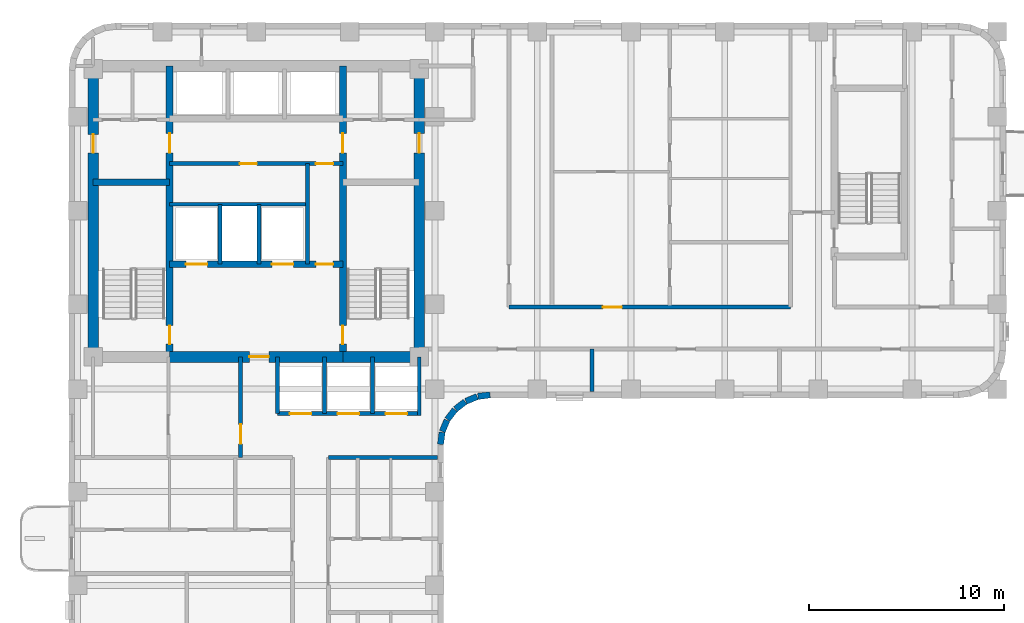
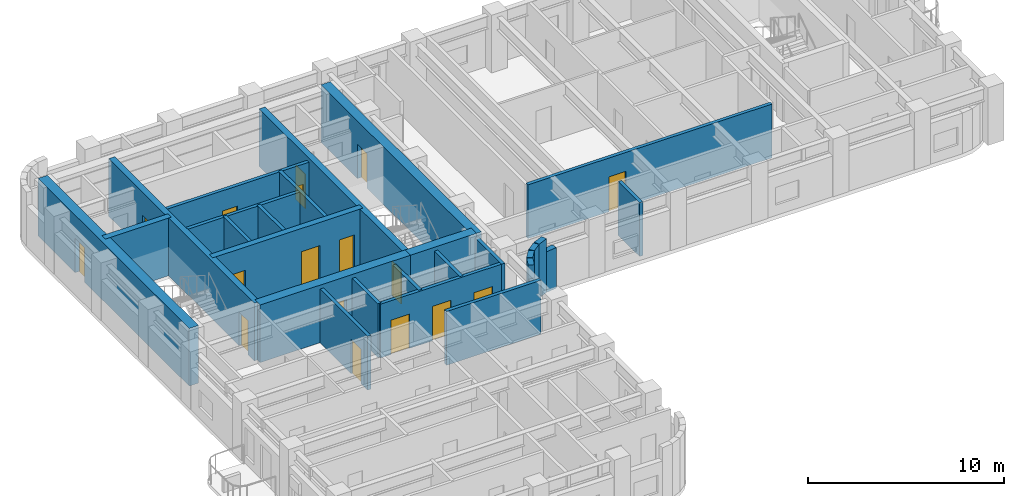
# One storey, part 4 of 10: 28 walls, 17 doors, 17 openings.
"""IFC4 building model written with IfcOpenShell, lengths in metres."""

from ifc_helpers import new_model, si_unit, direction, frame, frame_2d, origin, place, context, subcontext, project, spatial, rectangle, extrude, material, layer, layer_set, type_object, element, fill, save


model = new_model("IFC4")

# Units and contexts
model_context = context("Model", 3, precision=1e-05, world=origin(), true_north=direction((0.0, 1.0)))
body_context = subcontext(model_context, "Body", "Model", "MODEL_VIEW")
ifc_project = project(units=[si_unit("LENGTHUNIT", "METRE"), si_unit("AREAUNIT", "SQUARE_METRE"), si_unit("VOLUMEUNIT", "CUBIC_METRE"), si_unit("PLANEANGLEUNIT", "RADIAN"), si_unit("MASSUNIT", "GRAM", prefix="KILO")], contexts=[model_context])

# Site, building, storey
site_placement = place(None, origin())
site = spatial("IfcSite", under=ifc_project, at=site_placement, CompositionType="ELEMENT")
building_placement = place(site_placement, origin())
building = spatial("IfcBuilding", under=site, at=building_placement, Name="Orvandelia Arch Residences", CompositionType="ELEMENT")
storey_placement = place(building_placement, frame((0.0, 0.0, 139.60009765625)))
storey = spatial("IfcBuildingStorey", under=building, at=storey_placement, Name="L36", CompositionType="ELEMENT", Elevation=139.60009765625)

# Wall, openings, doors
ifc_material_1 = material(Name="Concrete C50/60", Category="concrete")
ifc_layer_1 = layer(ifc_material_1, 0.35009765625, Name="Concrete C50/60", Category="concrete")
ifc_layer_set_1 = layer_set([ifc_layer_1], Name="Concrete C50/60")
wall_type_1 = type_object("IfcWallType", Name="WL-CORE-350", PredefinedType="SHEAR", material=ifc_layer_set_1)
wall_1_placement = place(storey_placement, frame((9.9599609375, 30.89990234375, 0.0), z_axis=(0.0, 0.0, 1.0), x_axis=(0.0, 1.0, 0.0)))
wall_1 = element("IfcWall", 1, at=wall_1_placement, inside=storey, type_object=wall_type_1, Name="Core Shear Wall L36-WEB1", PredefinedType="SHEAR", context=body_context, shape_type="SweptSolid", body=[
    extrude(rectangle(XDim=14.900146484375, YDim=0.35009765625, at=frame_2d((7.4501953125, 0.0))), origin(), (0.0, 0.0, 1.0), 3.599853515625),
])
opening_1_placement = place(wall_1_placement, frame((0.64990234375, 0.0, 0.0)))
opening_1 = element("IfcOpeningElement", 2, at=opening_1_placement, cuts=wall_1, Name="Opening D7", PredefinedType="OPENING", context=body_context, shape_type="SweptSolid", body=[
    extrude(rectangle(XDim=0.949951171875, YDim=2.10009765625, at=frame_2d((0.47509765625, 1.050048828125))), frame((0.0, 0.18505859375, 0.0), z_axis=(0.0, -1.0, 0.0), x_axis=(1.0, 0.0, 0.0)), (0.0, 0.0, 1.0), 0.3701171875),
])
opening_2_placement = place(wall_1_placement, frame((10.449951171875, 0.0, 0.0)))
opening_2 = element("IfcOpeningElement", 3, at=opening_2_placement, cuts=wall_1, Name="Opening D6", PredefinedType="OPENING", context=body_context, shape_type="SweptSolid", body=[
    extrude(rectangle(XDim=1.0, YDim=2.14990234375, at=frame_2d((0.5, 1.074951171875))), frame((0.0, 0.18505859375, 0.0), z_axis=(0.0, -1.0, 0.0), x_axis=(1.0, 0.0, 0.0)), (0.0, 0.0, 1.0), 0.3701171875),
])
ifc_material_2 = material(Name="Smokeproof Painted Steel Fire Door", Category="steel")
door_type_1 = type_object("IfcDoorType", Name="DR-FD60-1000", OperationType="NOTDEFINED", PredefinedType="DOOR", material=ifc_material_2)
door_1_placement = place(opening_2_placement, origin())
door_1 = element("IfcDoor", 4, at=door_1_placement, inside=storey, type_object=door_type_1, Name="High-Rise Lift Hall West Vestibule Door L36", OperationType="SINGLE_SWING_LEFT", OverallHeight=2.14990234375, OverallWidth=1.0, PredefinedType="DOOR", context=body_context, shape_type="SweptSolid", body=[
    extrude(rectangle(XDim=1.0, YDim=2.14990234375, at=frame_2d((0.5, 1.074951171875))), frame((0.0, 0.02490234375, 0.0), z_axis=(0.0, -1.0, 0.0), x_axis=(1.0, 0.0, 0.0)), (0.0, 0.0, 1.0), 0.050048828125),
])
fill(opening_2, door_1)
ifc_material_3 = material(Name="Pressurised Stairwell Fire Door")
door_type_2 = type_object("IfcDoorType", Name="DR-STAIR-950", OperationType="NOTDEFINED", PredefinedType="DOOR", material=ifc_material_3)
door_2_placement = place(opening_1_placement, origin())
door_2 = element("IfcDoor", 5, at=door_2_placement, inside=storey, type_object=door_type_2, Name="Stairwell ST-1 Fire Door L36", OperationType="SINGLE_SWING_LEFT", OverallHeight=2.10009765625, OverallWidth=0.949951171875, PredefinedType="DOOR", context=body_context, shape_type="SweptSolid", body=[
    extrude(rectangle(XDim=0.949951171875, YDim=2.10009765625, at=frame_2d((0.47509765625, 1.050048828125))), frame((0.0, 0.02490234375, 0.0), z_axis=(0.0, -1.0, 0.0), x_axis=(1.0, 0.0, 0.0)), (0.0, 0.0, 1.0), 0.050048828125),
])
fill(opening_1, door_2)

wall_2_placement = place(storey_placement, frame((18.840087890625, 30.89990234375, 0.0), z_axis=(0.0, 0.0, 1.0), x_axis=(0.0, 1.0, 0.0)))
wall_2 = element("IfcWall", 6, at=wall_2_placement, inside=storey, type_object=wall_type_1, Name="Core Shear Wall L36-WEB2", PredefinedType="SHEAR", context=body_context, shape_type="SweptSolid", body=[
    extrude(rectangle(XDim=14.900146484375, YDim=0.35009765625, at=frame_2d((7.4501953125, 0.0))), origin(), (0.0, 0.0, 1.0), 3.599853515625),
])
opening_3_placement = place(wall_2_placement, frame((0.64990234375, 0.0, 0.0)))
opening_3 = element("IfcOpeningElement", 7, at=opening_3_placement, cuts=wall_2, Name="Opening D7", PredefinedType="OPENING", context=body_context, shape_type="SweptSolid", body=[
    extrude(rectangle(XDim=0.949951171875, YDim=2.10009765625, at=frame_2d((0.47509765625, 1.050048828125))), frame((0.0, 0.18505859375, 0.0), z_axis=(0.0, -1.0, 0.0), x_axis=(1.0, 0.0, 0.0)), (0.0, 0.0, 1.0), 0.3701171875),
])
opening_4_placement = place(wall_2_placement, frame((10.449951171875, 0.0, 0.0)))
opening_4 = element("IfcOpeningElement", 8, at=opening_4_placement, cuts=wall_2, Name="Opening D6", PredefinedType="OPENING", context=body_context, shape_type="SweptSolid", body=[
    extrude(rectangle(XDim=1.0, YDim=2.14990234375, at=frame_2d((0.5, 1.074951171875))), frame((0.0, 0.18505859375, 0.0), z_axis=(0.0, -1.0, 0.0), x_axis=(1.0, 0.0, 0.0)), (0.0, 0.0, 1.0), 0.3701171875),
])
door_3_placement = place(opening_4_placement, origin())
door_3 = element("IfcDoor", 9, at=door_3_placement, inside=storey, type_object=door_type_1, Name="High-Rise Lift Hall East Vestibule Door L36", OperationType="SINGLE_SWING_RIGHT", OverallHeight=2.14990234375, OverallWidth=1.0, PredefinedType="DOOR", context=body_context, shape_type="SweptSolid", body=[
    extrude(rectangle(XDim=1.0, YDim=2.14990234375, at=frame_2d((0.5, 1.074951171875))), frame((0.0, 0.02490234375, 0.0), z_axis=(0.0, -1.0, 0.0), x_axis=(1.0, 0.0, 0.0)), (0.0, 0.0, 1.0), 0.050048828125),
])
fill(opening_4, door_3)
door_4_placement = place(opening_3_placement, origin())
door_4 = element("IfcDoor", 10, at=door_4_placement, inside=storey, type_object=door_type_2, Name="Stairwell ST-2 Fire Door L36", OperationType="SINGLE_SWING_RIGHT", OverallHeight=2.10009765625, OverallWidth=0.949951171875, PredefinedType="DOOR", context=body_context, shape_type="SweptSolid", body=[
    extrude(rectangle(XDim=0.949951171875, YDim=2.10009765625, at=frame_2d((0.47509765625, 1.050048828125))), frame((0.0, 0.02490234375, 0.0), z_axis=(0.0, -1.0, 0.0), x_axis=(1.0, 0.0, 0.0)), (0.0, 0.0, 1.0), 0.050048828125),
])
fill(opening_3, door_4)

# Wall
wall_3_placement = place(storey_placement, frame((6.050048828125, 39.85009765625, 0.0), z_axis=(0.0, 0.0, 1.0), x_axis=(1.0, 0.0, 0.0)))
element("IfcWall", 11, at=wall_3_placement, inside=storey, type_object=wall_type_1, Name="Core Shear Wall L36-HZ1", PredefinedType="SHEAR", context=body_context, shape_type="SweptSolid", body=[
    extrude(rectangle(XDim=3.909912109375, YDim=0.35009765625, at=frame_2d((1.955078125, 0.0))), origin(), (0.0, 0.0, 1.0), 3.599853515625),
])

# Wall, openings, doors
wall_4_placement = place(storey_placement, frame((9.9599609375, 35.64990234375, 0.0), z_axis=(0.0, 0.0, 1.0), x_axis=(1.0, 0.0, 0.0)))
wall_4 = element("IfcWall", 12, at=wall_4_placement, inside=storey, type_object=wall_type_1, Name="Core Shear Wall L36-HZ3", PredefinedType="SHEAR", context=body_context, shape_type="SweptSolid", body=[
    extrude(rectangle(XDim=8.880126953125, YDim=0.35009765625, at=frame_2d((4.43994140625, 0.0))), origin(), (0.0, 0.0, 1.0), 3.599853515625),
])
opening_5_placement = place(wall_4_placement, frame((0.840087890625, 0.0, 0.0)))
opening_5 = element("IfcOpeningElement", 13, at=opening_5_placement, cuts=wall_4, Name="Opening FLD", PredefinedType="OPENING", context=body_context, shape_type="SweptSolid", body=[
    extrude(rectangle(XDim=1.10009765625, YDim=2.14990234375, at=frame_2d((0.550048828125, 1.074951171875))), frame((0.0, 0.18505859375, 0.0), z_axis=(0.0, -1.0, 0.0), x_axis=(1.0, 0.0, 0.0)), (0.0, 0.0, 1.0), 0.3701171875),
])
opening_6_placement = place(wall_4_placement, frame((5.239990234375, 0.0, 0.0)))
opening_6 = element("IfcOpeningElement", 14, at=opening_6_placement, cuts=wall_4, Name="Opening FLD", PredefinedType="OPENING", context=body_context, shape_type="SweptSolid", body=[
    extrude(rectangle(XDim=1.10009765625, YDim=2.14990234375, at=frame_2d((0.550048828125, 1.074951171875))), frame((0.0, 0.18505859375, 0.0), z_axis=(0.0, -1.0, 0.0), x_axis=(1.0, 0.0, 0.0)), (0.0, 0.0, 1.0), 0.3701171875),
])
opening_7_placement = place(wall_4_placement, frame((7.5, 0.0, 0.0)))
opening_7 = element("IfcOpeningElement", 15, at=opening_7_placement, cuts=wall_4, Name="Opening D5", PredefinedType="OPENING", context=body_context, shape_type="SweptSolid", body=[
    extrude(rectangle(XDim=0.8798828125, YDim=2.10009765625, at=frame_2d((0.43994140625, 1.050048828125))), frame((0.0, 0.18505859375, 0.0), z_axis=(0.0, -1.0, 0.0), x_axis=(1.0, 0.0, 0.0)), (0.0, 0.0, 1.0), 0.3701171875),
])
ifc_material_4 = material(Name="Firefighting Lift Stainless Sliding Door")
door_type_3 = type_object("IfcDoorType", Name="DR-FLFT-1100", OperationType="NOTDEFINED", PredefinedType="DOOR", material=ifc_material_4)
door_5_placement = place(opening_5_placement, origin())
door_5 = element("IfcDoor", 16, at=door_5_placement, inside=storey, type_object=door_type_3, Name="Firefighting Lift Landing Door FLD-FL1-L36", OperationType="SLIDING_TO_LEFT", OverallHeight=2.14990234375, OverallWidth=1.10009765625, PredefinedType="DOOR", context=body_context, shape_type="SweptSolid", body=[
    extrude(rectangle(XDim=1.10009765625, YDim=2.14990234375, at=frame_2d((0.550048828125, 1.074951171875))), frame((0.0, 0.02490234375, 0.0), z_axis=(0.0, -1.0, 0.0), x_axis=(1.0, 0.0, 0.0)), (0.0, 0.0, 1.0), 0.050048828125),
])
fill(opening_5, door_5)
door_6_placement = place(opening_6_placement, origin())
door_6 = element("IfcDoor", 17, at=door_6_placement, inside=storey, type_object=door_type_3, Name="Firefighting Lift Landing Door FLD-FL2-L36", OperationType="SLIDING_TO_RIGHT", OverallHeight=2.14990234375, OverallWidth=1.10009765625, PredefinedType="DOOR", context=body_context, shape_type="SweptSolid", body=[
    extrude(rectangle(XDim=1.10009765625, YDim=2.14990234375, at=frame_2d((0.550048828125, 1.074951171875))), frame((0.0, 0.02490234375, 0.0), z_axis=(0.0, -1.0, 0.0), x_axis=(1.0, 0.0, 0.0)), (0.0, 0.0, 1.0), 0.050048828125),
])
fill(opening_6, door_6)
ifc_material_5 = material(Name="Painted Galvanised Steel Service Door", Category="steel")
door_type_4 = type_object("IfcDoorType", Name="DR-SRV-880", OperationType="NOTDEFINED", PredefinedType="DOOR", material=ifc_material_5)
door_7_placement = place(opening_7_placement, origin())
door_7 = element("IfcDoor", 18, at=door_7_placement, inside=storey, type_object=door_type_4, Name="Core Stairway Passage South Fire Door L36", OperationType="SINGLE_SWING_LEFT", OverallHeight=2.10009765625, OverallWidth=0.8798828125, PredefinedType="DOOR", context=body_context, shape_type="SweptSolid", body=[
    extrude(rectangle(XDim=0.8798828125, YDim=2.10009765625, at=frame_2d((0.43994140625, 1.050048828125))), frame((0.0, 0.02490234375, 0.0), z_axis=(0.0, -1.0, 0.0), x_axis=(1.0, 0.0, 0.0)), (0.0, 0.0, 1.0), 0.050048828125),
])
fill(opening_7, door_7)

# Wall, opening, door
ifc_material_6 = material(Name="Concrete C60/75", Category="concrete")
ifc_layer_2 = layer(ifc_material_6, 0.550048828125, Name="Concrete C60/75", Category="concrete")
ifc_layer_set_2 = layer_set([ifc_layer_2], Name="Concrete C60/75")
wall_type_2 = type_object("IfcWallType", Name="WL-CORE-550", PredefinedType="SHEAR", material=ifc_layer_set_2)
wall_5_placement = place(storey_placement, frame((6.050048828125, 30.625, 0.0), z_axis=(0.0, 0.0, 1.0), x_axis=(0.0, 1.0, 0.0)))
wall_5 = element("IfcWall", 19, at=wall_5_placement, inside=storey, type_object=wall_type_2, Name="Core Shear Wall L36-W", PredefinedType="SHEAR", context=body_context, shape_type="SweptSolid", body=[
    extrude(rectangle(XDim=15.449951171875, YDim=0.550048828125, at=frame_2d((7.72509765625, 0.0))), origin(), (0.0, 0.0, 1.0), 3.599853515625),
])
opening_8_placement = place(wall_5_placement, frame((10.72509765625, 0.0, 0.0)))
opening_8 = element("IfcOpeningElement", 20, at=opening_8_placement, cuts=wall_5, Name="Opening D2", PredefinedType="OPENING", context=body_context, shape_type="SweptSolid", body=[
    extrude(rectangle(XDim=0.949951171875, YDim=2.14990234375, at=frame_2d((0.47509765625, 1.074951171875))), frame((0.0, 0.28515625, 0.0), z_axis=(0.0, -1.0, 0.0), x_axis=(1.0, 0.0, 0.0)), (0.0, 0.0, 1.0), 0.570068359375),
])
ifc_material_7 = material(Name="Solid-Core Timber Interior Fire Door", Category="wood")
door_type_5 = type_object("IfcDoorType", Name="DR-APT-950", OperationType="NOTDEFINED", PredefinedType="DOOR", material=ifc_material_7)
door_8_placement = place(opening_8_placement, origin())
door_8 = element("IfcDoor", 21, at=door_8_placement, inside=storey, type_object=door_type_5, Name="West Viewing Study Door L36", OperationType="SINGLE_SWING_RIGHT", OverallHeight=2.14990234375, OverallWidth=0.949951171875, PredefinedType="DOOR", context=body_context, shape_type="SweptSolid", body=[
    extrude(rectangle(XDim=0.949951171875, YDim=2.14990234375, at=frame_2d((0.47509765625, 1.074951171875))), frame((0.0, 0.02490234375, 0.0), z_axis=(0.0, -1.0, 0.0), x_axis=(1.0, 0.0, 0.0)), (0.0, 0.0, 1.0), 0.050048828125),
])
fill(opening_8, door_8)

wall_6_placement = place(storey_placement, frame((22.75, 30.625, 0.0), z_axis=(0.0, 0.0, 1.0), x_axis=(0.0, 1.0, 0.0)))
wall_6 = element("IfcWall", 22, at=wall_6_placement, inside=storey, type_object=wall_type_2, Name="Core Shear Wall L36-E", PredefinedType="SHEAR", context=body_context, shape_type="SweptSolid", body=[
    extrude(rectangle(XDim=15.449951171875, YDim=0.550048828125, at=frame_2d((7.72509765625, 0.0))), origin(), (0.0, 0.0, 1.0), 3.599853515625),
])
opening_9_placement = place(wall_6_placement, frame((10.72509765625, 0.0, 0.0)))
opening_9 = element("IfcOpeningElement", 23, at=opening_9_placement, cuts=wall_6, Name="Opening D6", PredefinedType="OPENING", context=body_context, shape_type="SweptSolid", body=[
    extrude(rectangle(XDim=1.0, YDim=2.14990234375, at=frame_2d((0.5, 1.074951171875))), frame((0.0, 0.28515625, 0.0), z_axis=(0.0, -1.0, 0.0), x_axis=(1.0, 0.0, 0.0)), (0.0, 0.0, 1.0), 0.570068359375),
])
door_9_placement = place(opening_9_placement, origin())
door_9 = element("IfcDoor", 24, at=door_9_placement, inside=storey, type_object=door_type_1, Name="Core East Corridor Link Door L36", OperationType="SINGLE_SWING_LEFT", OverallHeight=2.14990234375, OverallWidth=1.0, PredefinedType="DOOR", context=body_context, shape_type="SweptSolid", body=[
    extrude(rectangle(XDim=1.0, YDim=2.14990234375, at=frame_2d((0.5, 1.074951171875))), frame((0.0, 0.02490234375, 0.0), z_axis=(0.0, -1.0, 0.0), x_axis=(1.0, 0.0, 0.0)), (0.0, 0.0, 1.0), 0.050048828125),
])
fill(opening_9, door_9)

wall_7_placement = place(storey_placement, frame((9.9599609375, 30.89990234375, 0.0), z_axis=(0.0, 0.0, 1.0), x_axis=(1.0, 0.0, 0.0)))
wall_7 = element("IfcWall", 25, at=wall_7_placement, inside=storey, type_object=wall_type_2, Name="Core Shear Wall L36-SM", PredefinedType="SHEAR", context=body_context, shape_type="SweptSolid", body=[
    extrude(rectangle(XDim=8.880126953125, YDim=0.550048828125, at=frame_2d((4.43994140625, 0.0))), origin(), (0.0, 0.0, 1.0), 3.599853515625),
])
opening_10_placement = place(wall_7_placement, frame((4.090087890625, 0.0, 0.0)))
opening_10 = element("IfcOpeningElement", 26, at=opening_10_placement, cuts=wall_7, Name="Opening D6", PredefinedType="OPENING", context=body_context, shape_type="SweptSolid", body=[
    extrude(rectangle(XDim=1.0, YDim=2.14990234375, at=frame_2d((0.5, 1.074951171875))), frame((0.0, 0.28515625, 0.0), z_axis=(0.0, -1.0, 0.0), x_axis=(1.0, 0.0, 0.0)), (0.0, 0.0, 1.0), 0.570068359375),
])
door_10_placement = place(opening_10_placement, origin())
door_10 = element("IfcDoor", 27, at=door_10_placement, inside=storey, type_object=door_type_1, Name="Firefighting Lobby Smokeproof Door L36", OperationType="SINGLE_SWING_LEFT", OverallHeight=2.14990234375, OverallWidth=1.0, PredefinedType="DOOR", context=body_context, shape_type="SweptSolid", body=[
    extrude(rectangle(XDim=1.0, YDim=2.14990234375, at=frame_2d((0.5, 1.074951171875))), frame((0.0, 0.02490234375, 0.0), z_axis=(0.0, -1.0, 0.0), x_axis=(1.0, 0.0, 0.0)), (0.0, 0.0, 1.0), 0.050048828125),
])
fill(opening_10, door_10)

# Walls
wall_8_placement = place(storey_placement, frame((18.840087890625, 30.89990234375, 0.0), z_axis=(0.0, 0.0, 1.0), x_axis=(1.0, 0.0, 0.0)))
element("IfcWall", 28, at=wall_8_placement, inside=storey, type_object=wall_type_2, Name="Core Shear Wall L36-SE", PredefinedType="SHEAR", context=body_context, shape_type="SweptSolid", body=[
    extrude(rectangle(XDim=3.909912109375, YDim=0.550048828125, at=frame_2d((1.955078125, 0.0))), origin(), (0.0, 0.0, 1.0), 3.599853515625),
])
ifc_material_8 = material(Name="Fire-Rated Corridor Partition")
ifc_layer_3 = layer(ifc_material_8, 0.199951171875, Name="Fire-Rated Corridor Partition")
ifc_layer_set_3 = layer_set([ifc_layer_3], Name="Fire-Rated Corridor Partition")
wall_type_3 = type_object("IfcWallType", Name="WL-CORR-200", PredefinedType="PARTITIONING", material=ifc_layer_set_3)
wall_9_placement = place(storey_placement, frame((18.10009765625, 25.75, 0.0), z_axis=(0.0, 0.0, 1.0), x_axis=(1.0, 0.0, 0.0)))
element("IfcWall", 29, at=wall_9_placement, inside=storey, type_object=wall_type_3, Name="Interior Partition Wall WL-L36-WCLS-E", PredefinedType="PARTITIONING", context=body_context, shape_type="SweptSolid", body=[
    extrude(rectangle(XDim=5.579833984375, YDim=0.199951171875, at=frame_2d((2.7900390625, 0.0))), origin(), (0.0, 0.0, 1.0), 3.35986328125),
])

# Wall, opening, door
wall_10_placement = place(storey_placement, frame((27.35009765625, 33.449951171875, 0.0), z_axis=(0.0, 0.0, 1.0), x_axis=(1.0, 0.0, 0.0)))
wall_10 = element("IfcWall", 30, at=wall_10_placement, inside=storey, type_object=wall_type_3, Name="Interior Partition Wall WL-L36-ES-N1", PredefinedType="PARTITIONING", context=body_context, shape_type="SweptSolid", body=[
    extrude(rectangle(XDim=14.429931640625, YDim=0.199951171875, at=frame_2d((7.21484375, 0.0))), origin(), (0.0, 0.0, 1.0), 3.35986328125),
])
opening_11_placement = place(wall_10_placement, frame((4.803466796875, 0.0, 0.0)))
opening_11 = element("IfcOpeningElement", 31, at=opening_11_placement, cuts=wall_10, Name="Opening D1", PredefinedType="OPENING", context=body_context, shape_type="SweptSolid", body=[
    extrude(rectangle(XDim=0.97998046875, YDim=2.179931640625, at=frame_2d((0.489990234375, 1.08984375))), frame((0.0, 0.10986328125, 0.0), z_axis=(0.0, -1.0, 0.0), x_axis=(1.0, 0.0, 0.0)), (0.0, 0.0, 1.0), 0.219970703125),
])
ifc_material_9 = material(Name="Solid-Core Timber Acoustic Fire Door", Category="wood")
door_type_6 = type_object("IfcDoorType", Name="DR-ENT-980", OperationType="NOTDEFINED", PredefinedType="DOOR", material=ifc_material_9)
door_11_placement = place(opening_11_placement, origin())
door_11 = element("IfcDoor", 32, at=door_11_placement, inside=storey, type_object=door_type_6, Name="Unit L36-06 Entrance Door", OperationType="SINGLE_SWING_RIGHT", OverallHeight=2.179931640625, OverallWidth=0.97998046875, PredefinedType="DOOR", context=body_context, shape_type="SweptSolid", body=[
    extrude(rectangle(XDim=0.97998046875, YDim=2.179931640625, at=frame_2d((0.489990234375, 1.08984375))), frame((0.0, 0.02490234375, 0.0), z_axis=(0.0, -1.0, 0.0), x_axis=(1.0, 0.0, 0.0)), (0.0, 0.0, 1.0), 0.050048828125),
])
fill(opening_11, door_11)

# Walls
ifc_material_10 = material(Name="Concrete C40/50", Category="concrete")
ifc_layer_4 = layer(ifc_material_10, 0.199951171875, Name="Concrete C40/50", Category="concrete")
ifc_layer_set_4 = layer_set([ifc_layer_4], Name="Concrete C40/50")
wall_type_4 = type_object("IfcWallType", Name="WL-DEM-200", PredefinedType="SOLIDWALL", material=ifc_layer_set_4)
wall_11_placement = place(storey_placement, frame((31.60009765625, 29.1201171875, 0.0), z_axis=(0.0, 0.0, 1.0), x_axis=(0.0, 1.0, 0.0)))
element("IfcWall", 33, at=wall_11_placement, inside=storey, type_object=wall_type_4, Name="Interior Partition Wall WL-L36-ESSD-1", PredefinedType="SOLIDWALL", context=body_context, shape_type="SweptSolid", body=[
    extrude(rectangle(XDim=2.179931640625, YDim=0.199951171875, at=frame_2d((1.08984375, 0.0))), origin(), (0.0, 0.0, 1.0), 3.35986328125),
])
ifc_material_11 = material(Name="Precast concrete C40/50", Category="concrete")
ifc_layer_5 = layer(ifc_material_11, 0.320068359375, Name="Precast concrete C40/50", Category="concrete")
ifc_layer_set_5 = layer_set([ifc_layer_5], Name="Precast concrete C40/50")
wall_type_5 = type_object("IfcWallType", Name="WL-EXT-STONE-320", PredefinedType="STANDARD", material=ifc_layer_set_5)
wall_12_placement = place(storey_placement, frame((26.379150390625, 28.95849609375, 0.0), z_axis=(0.0, 0.0, 1.0), x_axis=(-0.991447664465, -0.130504898859, 0.0)))
element("IfcWall", 34, at=wall_12_placement, inside=storey, type_object=wall_type_5, Name="Coral-Limestone Precast Facade Wall L36-022", PredefinedType="STANDARD", context=body_context, shape_type="SweptSolid", body=[
    extrude(rectangle(XDim=0.626708984375, YDim=0.320068359375, at=frame_2d((0.3134765625, 0.0))), origin(), (0.0, 0.0, 1.0), 2.539794921875),
])
wall_13_placement = place(storey_placement, frame((25.717529296875, 28.865966796875, 0.0), z_axis=(0.0, 0.0, 1.0), x_axis=(-0.923836271867, -0.382787856107, 0.0)))
element("IfcWall", 35, at=wall_13_placement, inside=storey, type_object=wall_type_5, Name="Coral-Limestone Precast Facade Wall L36-023", PredefinedType="STANDARD", context=body_context, shape_type="SweptSolid", body=[
    extrude(rectangle(XDim=0.626220703125, YDim=0.320068359375, at=frame_2d((0.31298828125, 0.0))), origin(), (0.0, 0.0, 1.0), 3.35986328125),
])
for number, where, z_axis, x_axis, name in (
    (36, (25.1025390625, 28.60546875, 0.0), (0.0, 0.0, 1.0), (-0.793405610854, -0.608693302629, 0.0), "Coral-Limestone Precast Facade Wall L36-024"),
    (37, (24.575927734375, 28.194580078125, 0.0), (0.0, 0.0, 1.0), (-0.608693302629, -0.793405610854, 0.0), "Coral-Limestone Precast Facade Wall L36-025"),
):
    element("IfcWall", number, at=place(storey_placement, frame(where, z_axis=z_axis, x_axis=x_axis)), inside=storey, type_object=wall_type_5, Name=name, PredefinedType="STANDARD", context=body_context, shape_type="SweptSolid", body=[
        extrude(rectangle(XDim=0.62646484375, YDim=0.320068359375, at=frame_2d((0.313232421875, 0.0))), origin(), (0.0, 0.0, 1.0), 3.35986328125),
    ])
wall_14_placement = place(storey_placement, frame((24.173583984375, 27.6611328125, 0.0), z_axis=(0.0, 0.0, 1.0), x_axis=(-0.382455093999, -0.923974080304, 0.0)))
element("IfcWall", 38, at=wall_14_placement, inside=storey, type_object=wall_type_5, Name="Coral-Limestone Precast Facade Wall L36-026", PredefinedType="STANDARD", context=body_context, shape_type="SweptSolid", body=[
    extrude(rectangle(XDim=0.626220703125, YDim=0.320068359375, at=frame_2d((0.31298828125, 0.0))), origin(), (0.0, 0.0, 1.0), 3.35986328125),
])
wall_15_placement = place(storey_placement, frame((23.923095703125, 27.0419921875, 0.0), z_axis=(0.0, 0.0, 1.0), x_axis=(-0.130555323746, -0.9914410257, 0.0)))
element("IfcWall", 39, at=wall_15_placement, inside=storey, type_object=wall_type_5, Name="Coral-Limestone Precast Facade Wall L36-027", PredefinedType="STANDARD", context=body_context, shape_type="SweptSolid", body=[
    extrude(rectangle(XDim=0.62646484375, YDim=0.320068359375, at=frame_2d((0.313232421875, 0.0))), origin(), (0.0, 0.0, 1.0), 2.539794921875),
])
ifc_material_12 = material(Name="Fire-Rated Shaft Enclosure Wall")
ifc_layer_6 = layer(ifc_material_12, 0.199951171875, Name="Fire-Rated Shaft Enclosure Wall")
ifc_layer_set_6 = layer_set([ifc_layer_6], Name="Fire-Rated Shaft Enclosure Wall")
wall_type_6 = type_object("IfcWallType", Name="WL-SHAFT-200", PredefinedType="POLYGONAL", material=ifc_layer_set_6)
wall_16_placement = place(storey_placement, frame((9.9599609375, 38.719970703125, 0.0), z_axis=(0.0, 0.0, 1.0), x_axis=(1.0, 0.0, 0.0)))
element("IfcWall", 40, at=wall_16_placement, inside=storey, type_object=wall_type_6, Name="Interior Partition Wall WL-L36-FLN", PredefinedType="POLYGONAL", context=body_context, shape_type="SweptSolid", body=[
    extrude(rectangle(XDim=7.06005859375, YDim=0.199951171875, at=frame_2d((3.530029296875, 0.0))), origin(), (0.0, 0.0, 1.0), 3.35986328125),
])
for number, where, z_axis, x_axis, name in (
    (41, (12.550048828125, 35.64990234375, 0.0), (0.0, 0.0, 1.0), (0.0, 1.0, 0.0), "Interior Partition Wall WL-L36-FLM1"),
    (42, (14.550048828125, 35.64990234375, 0.0), (0.0, 0.0, 1.0), (0.0, 1.0, 0.0), "Interior Partition Wall WL-L36-FLM2"),
):
    element("IfcWall", number, at=place(storey_placement, frame(where, z_axis=z_axis, x_axis=x_axis)), inside=storey, type_object=wall_type_6, Name=name, PredefinedType="POLYGONAL", context=body_context, shape_type="SweptSolid", body=[
        extrude(rectangle(XDim=3.070068359375, YDim=0.199951171875, at=frame_2d((1.53515625, 0.0))), origin(), (0.0, 0.0, 1.0), 3.35986328125),
    ])
wall_17_placement = place(storey_placement, frame((17.02001953125, 35.64990234375, 0.0), z_axis=(0.0, 0.0, 1.0), x_axis=(0.0, 1.0, 0.0)))
element("IfcWall", 43, at=wall_17_placement, inside=storey, type_object=wall_type_6, Name="Interior Partition Wall WL-L36-FLM3", PredefinedType="POLYGONAL", context=body_context, shape_type="SweptSolid", body=[
    extrude(rectangle(XDim=5.150146484375, YDim=0.199951171875, at=frame_2d((2.5751953125, 0.0))), origin(), (0.0, 0.0, 1.0), 3.35986328125),
])

# Wall, openings, doors
wall_18_placement = place(storey_placement, frame((9.9599609375, 40.800048828125, 0.0), z_axis=(0.0, 0.0, 1.0), x_axis=(1.0, 0.0, 0.0)))
wall_18 = element("IfcWall", 44, at=wall_18_placement, inside=storey, type_object=wall_type_6, Name="Interior Partition Wall WL-L36-HLH-S", PredefinedType="POLYGONAL", context=body_context, shape_type="SweptSolid", body=[
    extrude(rectangle(XDim=8.880126953125, YDim=0.199951171875, at=frame_2d((4.43994140625, 0.0))), origin(), (0.0, 0.0, 1.0), 3.35986328125),
])
opening_12_placement = place(wall_18_placement, frame((7.5, 0.0, 0.0)))
opening_12 = element("IfcOpeningElement", 45, at=opening_12_placement, cuts=wall_18, Name="Opening D5", PredefinedType="OPENING", context=body_context, shape_type="SweptSolid", body=[
    extrude(rectangle(XDim=0.8798828125, YDim=2.10009765625, at=frame_2d((0.43994140625, 1.050048828125))), frame((0.0, 0.10986328125, 0.0), z_axis=(0.0, -1.0, 0.0), x_axis=(1.0, 0.0, 0.0)), (0.0, 0.0, 1.0), 0.219970703125),
])
opening_13_placement = place(wall_18_placement, frame((3.60009765625, 0.0, 0.0)))
opening_13 = element("IfcOpeningElement", 46, at=opening_13_placement, cuts=wall_18, Name="Opening D5", PredefinedType="OPENING", context=body_context, shape_type="SweptSolid", body=[
    extrude(rectangle(XDim=0.8798828125, YDim=2.10009765625, at=frame_2d((0.43994140625, 1.050048828125))), frame((0.0, 0.10986328125, 0.0), z_axis=(0.0, -1.0, 0.0), x_axis=(1.0, 0.0, 0.0)), (0.0, 0.0, 1.0), 0.219970703125),
])
door_12_placement = place(opening_12_placement, origin())
door_12 = element("IfcDoor", 47, at=door_12_placement, inside=storey, type_object=door_type_4, Name="Core Stairway Passage North Fire Door L36", OperationType="SINGLE_SWING_RIGHT", OverallHeight=2.10009765625, OverallWidth=0.8798828125, PredefinedType="DOOR", context=body_context, shape_type="SweptSolid", body=[
    extrude(rectangle(XDim=0.8798828125, YDim=2.10009765625, at=frame_2d((0.43994140625, 1.050048828125))), frame((0.0, 0.02490234375, 0.0), z_axis=(0.0, -1.0, 0.0), x_axis=(1.0, 0.0, 0.0)), (0.0, 0.0, 1.0), 0.050048828125),
])
fill(opening_12, door_12)
door_13_placement = place(opening_13_placement, origin())
door_13 = element("IfcDoor", 48, at=door_13_placement, inside=storey, type_object=door_type_4, Name="DR-L36-CSA1", OperationType="SINGLE_SWING_LEFT", OverallHeight=2.10009765625, OverallWidth=0.8798828125, PredefinedType="DOOR", context=body_context, shape_type="SweptSolid", body=[
    extrude(rectangle(XDim=0.8798828125, YDim=2.10009765625, at=frame_2d((0.43994140625, 1.050048828125))), frame((0.0, 0.02490234375, 0.0), z_axis=(0.0, -1.0, 0.0), x_axis=(1.0, 0.0, 0.0)), (0.0, 0.0, 1.0), 0.050048828125),
])
fill(opening_13, door_13)

# Wall, opening, door
wall_19_placement = place(storey_placement, frame((13.60009765625, 25.75, 0.0), z_axis=(0.0, 0.0, 1.0), x_axis=(0.0, 1.0, 0.0)))
wall_19 = element("IfcWall", 49, at=wall_19_placement, inside=storey, type_object=wall_type_6, Name="Interior Partition Wall WL-L36-B1REUSE-E", PredefinedType="POLYGONAL", context=body_context, shape_type="SweptSolid", body=[
    extrude(rectangle(XDim=5.14990234375, YDim=0.199951171875, at=frame_2d((2.574951171875, 0.0))), origin(), (0.0, 0.0, 1.0), 3.35986328125),
])
opening_14_placement = place(wall_19_placement, frame((0.699951171875, 0.0, 0.0)))
opening_14 = element("IfcOpeningElement", 50, at=opening_14_placement, cuts=wall_19, Name="Opening D6", PredefinedType="OPENING", context=body_context, shape_type="SweptSolid", body=[
    extrude(rectangle(XDim=1.0, YDim=2.14990234375, at=frame_2d((0.5, 1.074951171875))), frame((0.0, 0.10986328125, 0.0), z_axis=(0.0, -1.0, 0.0), x_axis=(1.0, 0.0, 0.0)), (0.0, 0.0, 1.0), 0.219970703125),
])
door_14_placement = place(opening_14_placement, origin())
door_14 = element("IfcDoor", 51, at=door_14_placement, inside=storey, type_object=door_type_1, Name="DR-L36-B1RB", OperationType="SINGLE_SWING_LEFT", OverallHeight=2.14990234375, OverallWidth=1.0, PredefinedType="DOOR", context=body_context, shape_type="SweptSolid", body=[
    extrude(rectangle(XDim=1.0, YDim=2.14990234375, at=frame_2d((0.5, 1.074951171875))), frame((0.0, 0.02490234375, 0.0), z_axis=(0.0, -1.0, 0.0), x_axis=(1.0, 0.0, 0.0)), (0.0, 0.0, 1.0), 0.050048828125),
])
fill(opening_14, door_14)

# Wall, openings, doors
wall_20_placement = place(storey_placement, frame((15.5, 28.0, 0.0), z_axis=(0.0, 0.0, 1.0), x_axis=(1.0, 0.0, 0.0)))
wall_20 = element("IfcWall", 52, at=wall_20_placement, inside=storey, type_object=wall_type_6, Name="Interior Partition Wall WL-L36-BNKM-S", PredefinedType="POLYGONAL", context=body_context, shape_type="SweptSolid", body=[
    extrude(rectangle(XDim=7.25, YDim=0.199951171875, at=frame_2d((3.625, 0.0))), origin(), (0.0, 0.0, 1.0), 3.35986328125),
])
opening_15_placement = place(wall_20_placement, frame((0.625, 0.0, 0.0)))
opening_15 = element("IfcOpeningElement", 53, at=opening_15_placement, cuts=wall_20, Name="Opening LD", PredefinedType="OPENING", context=body_context, shape_type="SweptSolid", body=[
    extrude(rectangle(XDim=1.10009765625, YDim=2.14990234375, at=frame_2d((0.550048828125, 1.074951171875))), frame((0.0, 0.10986328125, 0.0), z_axis=(0.0, -1.0, 0.0), x_axis=(1.0, 0.0, 0.0)), (0.0, 0.0, 1.0), 0.219970703125),
])
opening_16_placement = place(wall_20_placement, frame((3.074951171875, 0.0, 0.0)))
opening_16 = element("IfcOpeningElement", 54, at=opening_16_placement, cuts=wall_20, Name="Opening LD", PredefinedType="OPENING", context=body_context, shape_type="SweptSolid", body=[
    extrude(rectangle(XDim=1.10009765625, YDim=2.14990234375, at=frame_2d((0.550048828125, 1.074951171875))), frame((0.0, 0.10986328125, 0.0), z_axis=(0.0, -1.0, 0.0), x_axis=(1.0, 0.0, 0.0)), (0.0, 0.0, 1.0), 0.219970703125),
])
opening_17_placement = place(wall_20_placement, frame((5.52490234375, 0.0, 0.0)))
opening_17 = element("IfcOpeningElement", 55, at=opening_17_placement, cuts=wall_20, Name="Opening LD", PredefinedType="OPENING", context=body_context, shape_type="SweptSolid", body=[
    extrude(rectangle(XDim=1.10009765625, YDim=2.14990234375, at=frame_2d((0.550048828125, 1.074951171875))), frame((0.0, 0.10986328125, 0.0), z_axis=(0.0, -1.0, 0.0), x_axis=(1.0, 0.0, 0.0)), (0.0, 0.0, 1.0), 0.219970703125),
])
ifc_material_13 = material(Name="Brushed Stainless Steel Sliding Lift Door", Category="steel")
door_type_7 = type_object("IfcDoorType", Name="DR-LIFT-1100", OperationType="NOTDEFINED", PredefinedType="DOOR", material=ifc_material_13)
door_15_placement = place(opening_15_placement, origin())
door_15 = element("IfcDoor", 56, at=door_15_placement, inside=storey, type_object=door_type_7, Name="Lift Landing Door LD-PM1", OperationType="SLIDING_TO_LEFT", OverallHeight=2.14990234375, OverallWidth=1.10009765625, PredefinedType="DOOR", context=body_context, shape_type="SweptSolid", body=[
    extrude(rectangle(XDim=1.10009765625, YDim=2.14990234375, at=frame_2d((0.550048828125, 1.074951171875))), frame((0.0, 0.02490234375, 0.0), z_axis=(0.0, -1.0, 0.0), x_axis=(1.0, 0.0, 0.0)), (0.0, 0.0, 1.0), 0.050048828125),
])
fill(opening_15, door_15)
door_16_placement = place(opening_16_placement, origin())
door_16 = element("IfcDoor", 57, at=door_16_placement, inside=storey, type_object=door_type_7, Name="Lift Landing Door LD-PM2", OperationType="SLIDING_TO_RIGHT", OverallHeight=2.14990234375, OverallWidth=1.10009765625, PredefinedType="DOOR", context=body_context, shape_type="SweptSolid", body=[
    extrude(rectangle(XDim=1.10009765625, YDim=2.14990234375, at=frame_2d((0.550048828125, 1.074951171875))), frame((0.0, 0.02490234375, 0.0), z_axis=(0.0, -1.0, 0.0), x_axis=(1.0, 0.0, 0.0)), (0.0, 0.0, 1.0), 0.050048828125),
])
fill(opening_16, door_16)
door_17_placement = place(opening_17_placement, origin())
door_17 = element("IfcDoor", 58, at=door_17_placement, inside=storey, type_object=door_type_7, Name="Lift Landing Door LD-PM3", OperationType="SLIDING_TO_LEFT", OverallHeight=2.14990234375, OverallWidth=1.10009765625, PredefinedType="DOOR", context=body_context, shape_type="SweptSolid", body=[
    extrude(rectangle(XDim=1.10009765625, YDim=2.14990234375, at=frame_2d((0.550048828125, 1.074951171875))), frame((0.0, 0.02490234375, 0.0), z_axis=(0.0, -1.0, 0.0), x_axis=(1.0, 0.0, 0.0)), (0.0, 0.0, 1.0), 0.050048828125),
])
fill(opening_17, door_17)

# Walls
wall_21_placement = place(storey_placement, frame((15.5, 28.0, 0.0), z_axis=(0.0, 0.0, 1.0), x_axis=(0.0, 1.0, 0.0)))
element("IfcWall", 59, at=wall_21_placement, inside=storey, type_object=wall_type_6, Name="Interior Partition Wall WL-L36-BNKM-W", PredefinedType="POLYGONAL", context=body_context, shape_type="SweptSolid", body=[
    extrude(rectangle(XDim=2.89990234375, YDim=0.199951171875, at=frame_2d((1.449951171875, 0.0))), origin(), (0.0, 0.0, 1.0), 3.35986328125),
])
wall_22_placement = place(storey_placement, frame((22.75, 27.89990234375, 0.0), z_axis=(0.0, 0.0, 1.0), x_axis=(0.0, 1.0, 0.0)))
element("IfcWall", 60, at=wall_22_placement, inside=storey, type_object=wall_type_6, Name="Interior Partition Wall WL-L36-BNKM-E", PredefinedType="POLYGONAL", context=body_context, shape_type="SweptSolid", body=[
    extrude(rectangle(XDim=3.0, YDim=0.199951171875, at=frame_2d((1.5, 0.0))), origin(), (0.0, 0.0, 1.0), 3.35986328125),
])
for number, where, z_axis, x_axis, name in (
    (61, (17.89990234375, 28.0, 0.0), (0.0, 0.0, 1.0), (0.0, 1.0, 0.0), "Interior Partition Wall WL-L36-BNKMD-1789"),
    (62, (20.35009765625, 28.0, 0.0), (0.0, 0.0, 1.0), (0.0, 1.0, 0.0), "Interior Partition Wall WL-L36-BNKMD-2035"),
):
    element("IfcWall", number, at=place(storey_placement, frame(where, z_axis=z_axis, x_axis=x_axis)), inside=storey, type_object=wall_type_6, Name=name, PredefinedType="POLYGONAL", context=body_context, shape_type="SweptSolid", body=[
        extrude(rectangle(XDim=2.89990234375, YDim=0.199951171875, at=frame_2d((1.449951171875, 0.0))), origin(), (0.0, 0.0, 1.0), 3.35986328125),
    ])

save(model, "model.ifc")
